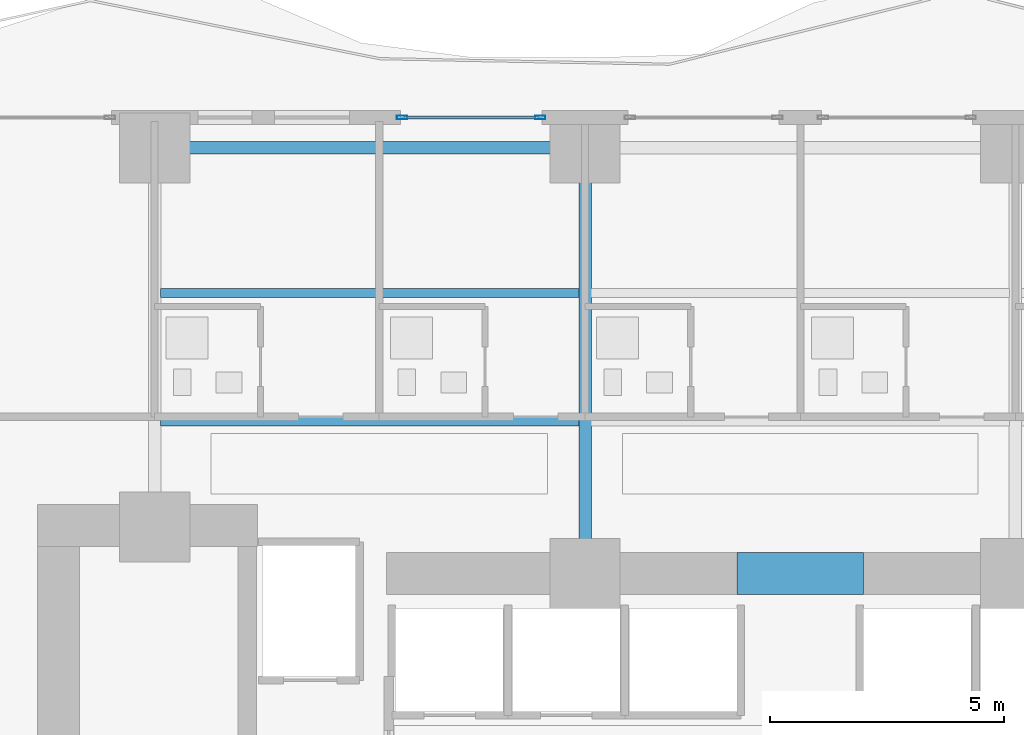
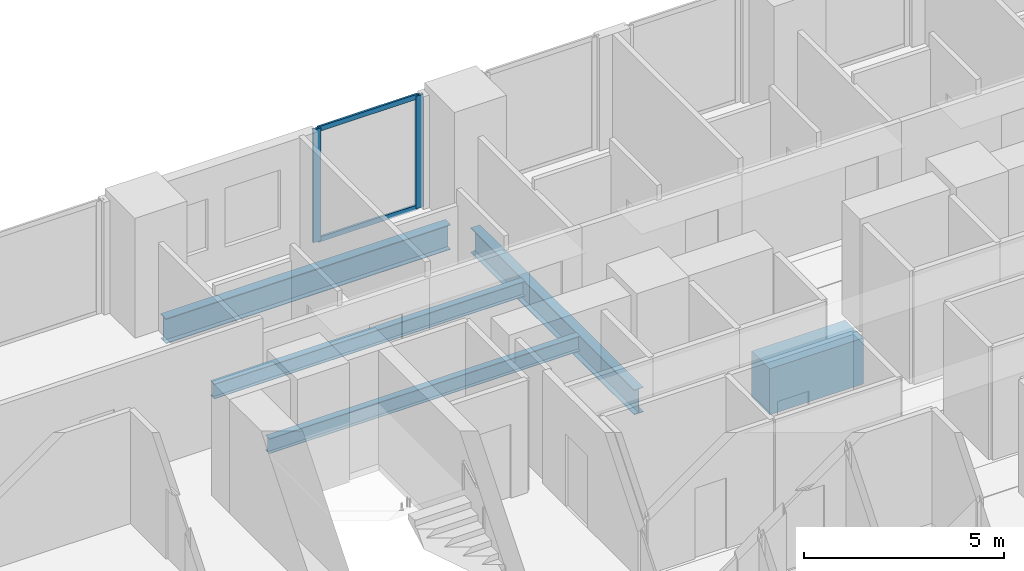
# One storey, part 14 of 29: 5 beams, 4 members, 1 element without a shape of its own.
"""IFC4 building model written with IfcOpenShell, lengths in metres."""

from ifc_helpers import new_model, si_unit, direction, frame, origin, origin_2d, place, context, subcontext, project, spatial, rectangle, hollow_rectangle, i_section, extrude, material, layer, layer_set, material_profile, profile_set, type_object, element, aggregate, save


model = new_model("IFC4")

# Units and contexts
model_context = context("Model", 3, precision=1e-05, world=origin(), true_north=direction((0.0, 1.0)))
body_context = subcontext(model_context, "Body", "Model", "MODEL_VIEW")
ifc_project = project(units=[si_unit("LENGTHUNIT", "METRE"), si_unit("AREAUNIT", "SQUARE_METRE"), si_unit("VOLUMEUNIT", "CUBIC_METRE"), si_unit("PLANEANGLEUNIT", "RADIAN"), si_unit("MASSUNIT", "GRAM", prefix="KILO")], contexts=[model_context])

# Site, building, storey
site_placement = place(None, origin())
site = spatial("IfcSite", under=ifc_project, at=site_placement, CompositionType="ELEMENT")
building_placement = place(site_placement, origin())
building = spatial("IfcBuilding", under=site, at=building_placement, Name="Zuhayl Quay Hotel", CompositionType="ELEMENT")
storey_placement = place(building_placement, frame((0.0, 0.0, 64.10009765625)))
storey = spatial("IfcBuildingStorey", under=building, at=storey_placement, Name="L15", CompositionType="ELEMENT", Elevation=64.10009765625)

# Beams
ifc_material_1 = material(Name="Steel ASTM A992 Grade 50", Category="steel")
ifc_material_profile_1 = material_profile(ifc_material_1, i_section(OverallWidth=0.26708984375, OverallDepth=0.761962890625, WebThickness=0.014404296875, FlangeThickness=0.021484375, at=origin_2d()), Name="W30X116")
ifc_profile_set_1 = profile_set([ifc_material_profile_1], Name="Steel ASTM A992 Grade 50")
beam_type_1 = type_object("IfcBeamType", Name="BM_B1_W30X116", PredefinedType="BEAM", material=ifc_profile_set_1)
beam_1_placement = place(storey_placement, frame((-5.10009765625, 22.449951171875, -0.60107421875), z_axis=(-1.0, 0.0, 0.0), x_axis=(0.0, -1.0, 0.0)))
element("IfcBeam", 1, at=beam_1_placement, inside=storey, type_object=beam_type_1, Name="L15 Floor Beam RG_L15_09", PredefinedType="BEAM", context=body_context, shape_type="SweptSolid", body=[
    extrude(i_section(OverallWidth=0.26708984375, OverallDepth=0.761962890625, WebThickness=0.014404296875, FlangeThickness=0.021484375, at=origin_2d()), origin(), (0.0, 0.0, 1.0), 8.199951171875),
])
beam_2_placement = place(storey_placement, frame((-4.60009765625, 13.800048828125, -0.60107421875), z_axis=(0.0, 1.0, 0.0), x_axis=(-1.0, 0.0, 0.0)))
element("IfcBeam", 2, at=beam_2_placement, inside=storey, type_object=beam_type_1, Name="L15 Floor Beam FG_N_L15_2", PredefinedType="BEAM", context=body_context, shape_type="SweptSolid", body=[
    extrude(i_section(OverallWidth=0.26708984375, OverallDepth=0.761962890625, WebThickness=0.014404296875, FlangeThickness=0.021484375, at=origin_2d()), origin(), (0.0, 0.0, 1.0), 8.14990234375),
])
ifc_material_2 = material(Name="Concrete C60/75", Category="concrete")
ifc_material_profile_2 = material_profile(ifc_material_2, rectangle(XDim=0.89990234375, YDim=1.39990234375, at=origin_2d()), Name="RC900X1400")
ifc_profile_set_2 = profile_set([ifc_material_profile_2], Name="Concrete C60/75")
beam_type_2 = type_object("IfcBeamType", Name="BM_CB1_RC900", PredefinedType="T_BEAM", material=ifc_profile_set_2)
beam_3_placement = place(storey_placement, frame((-1.35009765625, 13.35009765625, -0.920166015625), z_axis=(1.0, 0.0, 0.0), x_axis=(0.0, 1.0, 0.0)))
element("IfcBeam", 3, at=beam_3_placement, inside=storey, type_object=beam_type_2, Name="L15 Core Coupling Beam North", PredefinedType="T_BEAM", context=body_context, shape_type="SweptSolid", body=[
    extrude(rectangle(XDim=0.89990234375, YDim=1.39990234375, at=origin_2d()), origin(), (0.0, 0.0, 1.0), 2.7001953125),
])
ifc_material_profile_3 = material_profile(ifc_material_1, i_section(OverallWidth=0.18994140625, OverallDepth=0.45703125, WebThickness=0.009033203125, FlangeThickness=0.014404296875, at=origin_2d()), Name="W18X50")
ifc_profile_set_3 = profile_set([ifc_material_profile_3], Name="Steel ASTM A992 Grade 50")
beam_type_3 = type_object("IfcBeamType", Name="BM_J2_W18X50", PredefinedType="JOIST", material=ifc_profile_set_3)
for number, where, z_axis, x_axis, name in (
    (4, (-13.674560546875, 16.60009765625, -0.448486328125), (1.0, 0.0, 0.0), (0.0, 1.0, 0.0), "L15 Floor Beam FJ_L15_1_1"),
    (5, (-13.674560546875, 19.35009765625, -0.448486328125), (1.0, 0.0, 0.0), (0.0, 1.0, 0.0), "L15 Floor Beam FJ_L15_2_1"),
):
    element("IfcBeam", number, at=place(storey_placement, frame(where, z_axis=z_axis, x_axis=x_axis)), inside=storey, type_object=beam_type_3, Name=name, PredefinedType="JOIST", context=body_context, shape_type="SweptSolid", body=[
        extrude(i_section(OverallWidth=0.18994140625, OverallDepth=0.45703125, WebThickness=0.009033203125, FlangeThickness=0.014404296875, at=origin_2d()), origin(), (0.0, 0.0, 1.0), 8.948974609375),
    ])

# Curtain wall, members
ifc_material_3 = material(Name="Anodised Aluminium 6063-T6", Category="aluminium")
ifc_layer = layer(ifc_material_3, 0.18994140625, Name="Anodised Aluminium 6063-T6", Category="aluminium")
ifc_layer_set = layer_set([ifc_layer], Name="Anodised Aluminium 6063-T6")
curtain_wall_type = type_object("IfcCurtainWallType", Name="CW_SYS_Z1", PredefinedType="USERDEFINED", material=ifc_layer_set)
curtain_wall_placement = place(storey_placement, origin())
curtain_wall = element("IfcCurtainWall", 6, at=curtain_wall_placement, inside=storey, type_object=curtain_wall_type, Name="L15 Curtain Wall ENV_L15_N_CW2", ObjectType="UNITISED CURTAIN WALL", PredefinedType="USERDEFINED")
ifc_material_4 = material(Name="Black-anodised aluminium 6063-T6", Category="aluminium")
ifc_material_profile_4 = material_profile(ifc_material_4, hollow_rectangle(XDim=0.074951171875, YDim=0.219970703125, WallThickness=0.00390625, at=origin_2d()), Name="ALU220X75")
ifc_profile_set_4 = profile_set([ifc_material_profile_4], Name="Black-anodised aluminium 6063-T6")
member_type_1 = type_object("IfcMemberType", Name="MB_CW_MUL_220", PredefinedType="MULLION", material=ifc_profile_set_4)
member_1_placement = place(storey_placement, frame((-8.512451171875, 23.10009765625, 0.0), z_axis=(0.0, 0.0, 1.0), x_axis=(0.0, 1.0, 0.0)))
member_1 = element("IfcMember", 7, at=member_1_placement, type_object=member_type_1, Name="CW-Z1 mullion 1", PredefinedType="MULLION", context=body_context, shape_type="SweptSolid", body=[
    extrude(hollow_rectangle(XDim=0.074951171875, YDim=0.219970703125, WallThickness=0.00390625, at=origin_2d()), origin(), (0.0, 0.0, 1.0), 3.429931640625),
])
member_2_placement = place(storey_placement, frame((-5.5576171875, 23.10009765625, 0.0), z_axis=(0.0, 0.0, 1.0), x_axis=(0.0, 1.0, 0.0)))
member_2 = element("IfcMember", 8, at=member_2_placement, type_object=member_type_1, Name="CW-Z1 mullion 2", PredefinedType="MULLION", context=body_context, shape_type="SweptSolid", body=[
    extrude(hollow_rectangle(XDim=0.074951171875, YDim=0.219970703125, WallThickness=0.00390625, at=origin_2d()), origin(), (0.0, 0.0, 1.0), 3.429931640625),
])
ifc_material_profile_5 = material_profile(ifc_material_4, hollow_rectangle(XDim=0.06005859375, YDim=0.14990234375, WallThickness=0.00341796875, at=origin_2d()), Name="ALU150X60")
ifc_profile_set_5 = profile_set([ifc_material_profile_5], Name="Black-anodised aluminium 6063-T6")
member_type_2 = type_object("IfcMemberType", Name="MB_CW_TRN_150", PredefinedType="USERDEFINED", material=ifc_profile_set_5)
member_3_placement = place(storey_placement, frame((-8.47509765625, 23.10009765625, 0.02978515625), z_axis=(1.0, 0.0, 0.0), x_axis=(0.0, 1.0, 0.0)))
member_3 = element("IfcMember", 9, at=member_3_placement, type_object=member_type_2, Name="CW-Z1 transom 1.1", ObjectType="TRANSOM", PredefinedType="USERDEFINED", context=body_context, shape_type="SweptSolid", body=[
    extrude(hollow_rectangle(XDim=0.06005859375, YDim=0.14990234375, WallThickness=0.00341796875, at=origin_2d()), origin(), (0.0, 0.0, 1.0), 2.880126953125),
])
member_4_placement = place(storey_placement, frame((-8.47509765625, 23.10009765625, 3.39990234375), z_axis=(1.0, 0.0, 0.0), x_axis=(0.0, 1.0, 0.0)))
member_4 = element("IfcMember", 10, at=member_4_placement, type_object=member_type_2, Name="CW-Z1 transom 1.2", ObjectType="TRANSOM", PredefinedType="USERDEFINED", context=body_context, shape_type="SweptSolid", body=[
    extrude(hollow_rectangle(XDim=0.06005859375, YDim=0.14990234375, WallThickness=0.00341796875, at=origin_2d()), origin(), (0.0, 0.0, 1.0), 2.880126953125),
])
aggregate(curtain_wall, [member_1, member_2, member_3, member_4])

save(model, "model.ifc")
